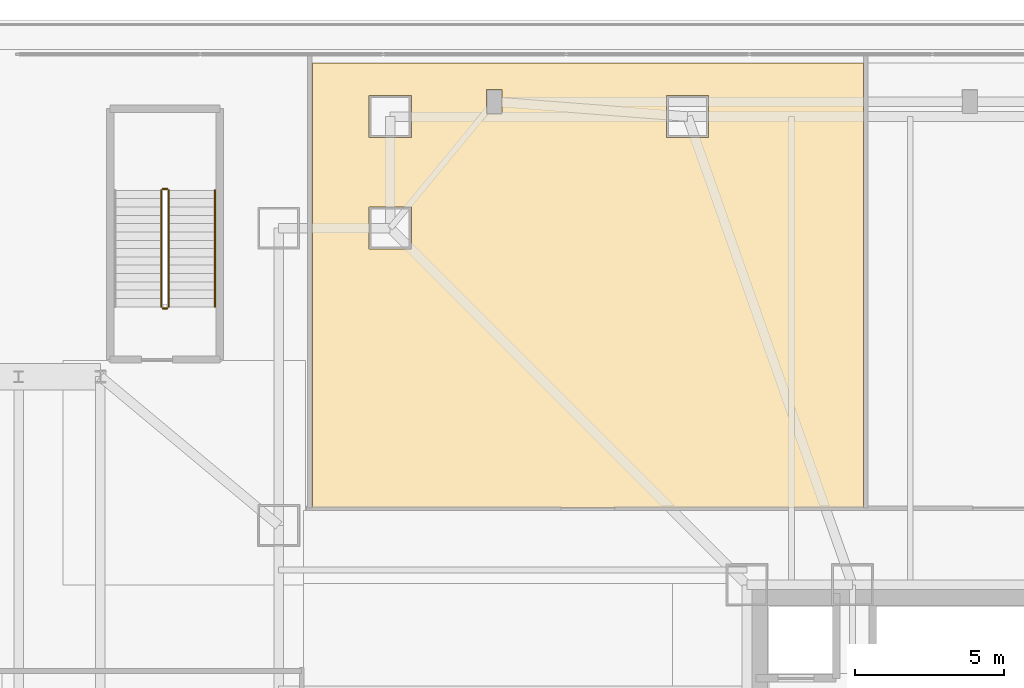
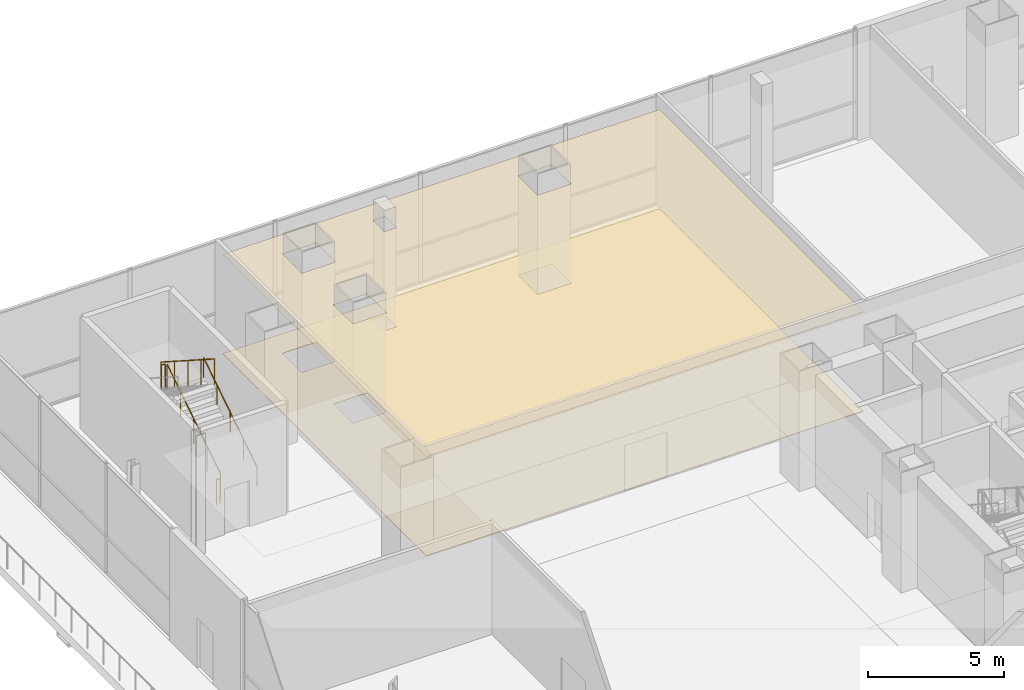
# One storey, part 33 of 36: 5 railings, 2 coverings.
"""IFC4 building model written with IfcOpenShell, lengths in metres."""

from ifc_helpers import new_model, si_unit, direction, frame, origin, origin_2d, place, context, subcontext, project, spatial, polyline, circle, outline, extrude, material, layer, layer_set, type_object, element, save


model = new_model("IFC4")

# Units and contexts
model_context = context("Model", 3, precision=1e-05, world=origin(), true_north=direction((0.0, 1.0)))
body_context = subcontext(model_context, "Body", "Model", "MODEL_VIEW")
ifc_project = project(units=[si_unit("LENGTHUNIT", "METRE"), si_unit("AREAUNIT", "SQUARE_METRE"), si_unit("VOLUMEUNIT", "CUBIC_METRE"), si_unit("PLANEANGLEUNIT", "RADIAN"), si_unit("MASSUNIT", "GRAM", prefix="KILO")], contexts=[model_context])

# Site, building, storey
site_placement = place(None, origin())
site = spatial("IfcSite", under=ifc_project, at=site_placement, CompositionType="ELEMENT")
building_placement = place(site_placement, origin())
building = spatial("IfcBuilding", under=site, at=building_placement, Name="Trevonay Congress Spire", CompositionType="ELEMENT")
storey_placement = place(building_placement, frame((0.0, 0.0, 16.199951171875)))
storey = spatial("IfcBuildingStorey", under=building, at=storey_placement, Name="L03", CompositionType="ELEMENT", Elevation=16.199951171875)

# Coverings
ifc_material_1 = material(Name="Acoustic Mineral Fibre Board", Category="gypsum")
ifc_layer_1 = layer(ifc_material_1, 0.02490234375, Name="Acoustic Mineral Fibre Board")
ifc_layer_set_1 = layer_set([ifc_layer_1], Name="Acoustic Mineral Fibre Board")
covering_type_1 = type_object("IfcCoveringType", Name="COV-CEIL-ACOUSTIC", PredefinedType="CEILING", material=ifc_layer_set_1)
covering_1_placement = place(storey_placement, frame((0.0, 0.0, 4.449951171875)))
element("IfcCovering", 1, at=covering_1_placement, inside=storey, type_object=covering_type_1, Name="L03 Junior Banquet Dining Hall acoustic suspended ceiling", PredefinedType="CEILING", context=body_context, shape_type="SweptSolid", body=[
    extrude(outline(polyline([(-22.1201171875, 25.050048828125), (-3.580078125, 25.050048828125), (-3.580078125, 10.080078125), (-22.1201171875, 10.080078125), (-22.1201171875, 25.050048828125)]), holes=[polyline([(-20.2099609375, 20.2099609375), (-20.2099609375, 18.7900390625), (-18.7900390625, 18.7900390625), (-18.7900390625, 20.2099609375), (-20.2099609375, 20.2099609375)]), polyline([(-20.2099609375, 23.9599609375), (-20.2099609375, 22.5400390625), (-18.7900390625, 22.5400390625), (-18.7900390625, 23.9599609375), (-20.2099609375, 23.9599609375)]), polyline([(-10.2099609375, 23.9599609375), (-10.2099609375, 22.5400390625), (-8.7900390625, 22.5400390625), (-8.7900390625, 23.9599609375), (-10.2099609375, 23.9599609375)]), polyline([(-16.260009765625, 24.159912109375), (-16.260009765625, 23.340087890625), (-15.739990234375, 23.340087890625), (-15.739990234375, 24.159912109375), (-16.260009765625, 24.159912109375)])]), origin(), (0.0, 0.0, 1.0), 0.025146484375),
])
ifc_material_2 = material(Name="Polished Granite Floor Tile", Category="masonry")
ifc_layer_2 = layer(ifc_material_2, 0.02001953125, Name="Polished Granite Floor Tile")
ifc_layer_set_2 = layer_set([ifc_layer_2], Name="Polished Granite Floor Tile")
covering_type_2 = type_object("IfcCoveringType", Name="COV-FLOOR-STONE", PredefinedType="FLOORING", material=ifc_layer_set_2)
covering_2_placement = place(storey_placement, origin())
element("IfcCovering", 2, at=covering_2_placement, inside=storey, type_object=covering_type_2, Name="L03 Junior Banquet Dining Hall floor finish", PredefinedType="FLOORING", context=body_context, shape_type="SweptSolid", body=[
    extrude(outline(polyline([(-22.1201171875, 25.050048828125), (-3.580078125, 25.050048828125), (-3.580078125, 10.080078125), (-22.1201171875, 10.080078125), (-22.1201171875, 25.050048828125)]), holes=[polyline([(-20.2099609375, 20.2099609375), (-20.2099609375, 18.7900390625), (-18.7900390625, 18.7900390625), (-18.7900390625, 20.2099609375), (-20.2099609375, 20.2099609375)]), polyline([(-20.2099609375, 23.9599609375), (-20.2099609375, 22.5400390625), (-18.7900390625, 22.5400390625), (-18.7900390625, 23.9599609375), (-20.2099609375, 23.9599609375)]), polyline([(-10.2099609375, 23.9599609375), (-10.2099609375, 22.5400390625), (-8.7900390625, 22.5400390625), (-8.7900390625, 23.9599609375), (-10.2099609375, 23.9599609375)]), polyline([(-16.260009765625, 24.159912109375), (-16.260009765625, 23.340087890625), (-15.739990234375, 23.340087890625), (-15.739990234375, 24.159912109375), (-16.260009765625, 24.159912109375)])]), origin(), (0.0, 0.0, 1.0), 0.02001953125),
])

# Railings
ifc_material_3 = material(Name="Pale Anodised Aluminium EN AW-6063-T6", Category="aluminium")
railing_type_1 = type_object("IfcRailingType", Name="RAL-STAIR-GUARD-110", PredefinedType="GUARDRAIL", material=ifc_material_3)
railing_1_placement = place(storey_placement, frame((-26.949951171875, 16.85009765625, 0.179931640625)))
element("IfcRailing", 3, at=railing_1_placement, inside=storey, type_object=railing_type_1, Name="L03 ST-5 stair guard 1", PredefinedType="GUARDRAIL", context=body_context, shape_type="SweptSolid", body=[
    extrude(circle(Radius=0.02392578125, at=origin_2d()), frame((0.0, 0.0, 1.1259765625), z_axis=(0.0, 0.841171666519, 0.540768182723), x_axis=(-1.0, 0.0, 0.0)), (0.0, 0.0, 1.0), 4.66015625),
    extrude(circle(Radius=0.02099609375, at=origin_2d()), origin(), (0.0, 0.0, 1.0), 1.101806640625),
    extrude(circle(Radius=0.02099609375, at=origin_2d()), frame((0.0, 0.97998046875, 0.6298828125)), (0.0, 0.0, 1.0), 1.101806640625),
    extrude(circle(Radius=0.02099609375, at=origin_2d()), frame((0.0, 1.9599609375, 1.260009765625)), (0.0, 0.0, 1.0), 1.101806640625),
    extrude(circle(Radius=0.02099609375, at=origin_2d()), frame((0.0, 2.93994140625, 1.89013671875)), (0.0, 0.0, 1.0), 1.101806640625),
    extrude(circle(Radius=0.02099609375, at=origin_2d()), frame((0.0, 3.919921875, 2.52001953125)), (0.0, 0.0, 1.0), 1.101806640625),
])
railing_2_placement = place(storey_placement, frame((-27.0, 20.820068359375, 2.699951171875)))
element("IfcRailing", 4, at=railing_2_placement, inside=storey, type_object=railing_type_1, Name="L03 ST-5 stair guard 2", PredefinedType="GUARDRAIL", context=body_context, shape_type="SweptSolid", body=[
    extrude(circle(Radius=0.02392578125, at=origin_2d()), frame((0.0, 0.0, 1.1259765625), z_axis=(-1.0, 0.0, 0.0), x_axis=(0.0, -1.0, 0.0)), (0.0, 0.0, 1.0), 0.14990234375),
    extrude(circle(Radius=0.02099609375, at=origin_2d()), origin(), (0.0, 0.0, 1.0), 1.101806640625),
    extrude(circle(Radius=0.02099609375, at=origin_2d()), frame((-0.14990234375, 0.0, 0.0)), (0.0, 0.0, 1.0), 1.101806640625),
])
railing_3_placement = place(storey_placement, frame((-27.199951171875, 20.77001953125, 2.880126953125)))
element("IfcRailing", 5, at=railing_3_placement, inside=storey, type_object=railing_type_1, Name="L03 ST-5 stair guard 3", PredefinedType="GUARDRAIL", context=body_context, shape_type="SweptSolid", body=[
    extrude(circle(Radius=0.02392578125, at=origin_2d()), frame((0.0, 0.0, 1.1259765625), z_axis=(0.0, -0.841171666519, 0.540768182723), x_axis=(1.0, 0.0, 0.0)), (0.0, 0.0, 1.0), 4.66015625),
    extrude(circle(Radius=0.02099609375, at=origin_2d()), origin(), (0.0, 0.0, 1.0), 1.101806640625),
    extrude(circle(Radius=0.02099609375, at=origin_2d()), frame((0.0, -0.97998046875, 0.6298828125)), (0.0, 0.0, 1.0), 1.101806640625),
    extrude(circle(Radius=0.02099609375, at=origin_2d()), frame((0.0, -1.9599609375, 1.260009765625)), (0.0, 0.0, 1.0), 1.101806640625),
    extrude(circle(Radius=0.02099609375, at=origin_2d()), frame((0.0, -2.93994140625, 1.89013671875)), (0.0, 0.0, 1.0), 1.101806640625),
    extrude(circle(Radius=0.02099609375, at=origin_2d()), frame((0.0, -3.919921875, 2.52001953125)), (0.0, 0.0, 1.0), 1.101806640625),
])
railing_4_placement = place(storey_placement, frame((-27.0, 16.800048828125, 0.0)))
element("IfcRailing", 6, at=railing_4_placement, inside=storey, type_object=railing_type_1, Name="L03 ST-5 stair guard 4", PredefinedType="GUARDRAIL", context=body_context, shape_type="SweptSolid", body=[
    extrude(circle(Radius=0.02392578125, at=origin_2d()), frame((0.0, 0.0, 1.1259765625), z_axis=(-1.0, 0.0, 0.0), x_axis=(0.0, -1.0, 0.0)), (0.0, 0.0, 1.0), 0.14990234375),
    extrude(circle(Radius=0.02099609375, at=origin_2d()), origin(), (0.0, 0.0, 1.0), 1.101806640625),
    extrude(circle(Radius=0.02099609375, at=origin_2d()), frame((-0.14990234375, 0.0, 0.0)), (0.0, 0.0, 1.0), 1.101806640625),
])
railing_type_2 = type_object("IfcRailingType", Name="RAL-STAIR-HANDRAIL", PredefinedType="HANDRAIL", material=ifc_material_3)
railing_5_placement = place(storey_placement, frame((-25.39990234375, 16.85009765625, 0.179931640625)))
element("IfcRailing", 7, at=railing_5_placement, inside=storey, type_object=railing_type_2, Name="L03 ST-5 stair handrail 1", PredefinedType="HANDRAIL", context=body_context, shape_type="SweptSolid", body=[
    extrude(circle(Radius=0.02392578125, at=origin_2d()), frame((0.0, 0.0, 0.8759765625), z_axis=(0.0, 0.841171666519, 0.540768182723), x_axis=(-1.0, 0.0, 0.0)), (0.0, 0.0, 1.0), 4.66015625),
    extrude(circle(Radius=0.02099609375, at=origin_2d()), origin(), (0.0, 0.0, 1.0), 0.851806640625),
    extrude(circle(Radius=0.02099609375, at=origin_2d()), frame((0.0, 0.97998046875, 0.6298828125)), (0.0, 0.0, 1.0), 0.851806640625),
    extrude(circle(Radius=0.02099609375, at=origin_2d()), frame((0.0, 1.9599609375, 1.260009765625)), (0.0, 0.0, 1.0), 0.851806640625),
    extrude(circle(Radius=0.02099609375, at=origin_2d()), frame((0.0, 2.93994140625, 1.89013671875)), (0.0, 0.0, 1.0), 0.851806640625),
    extrude(circle(Radius=0.02099609375, at=origin_2d()), frame((0.0, 3.919921875, 2.52001953125)), (0.0, 0.0, 1.0), 0.851806640625),
])

save(model, "model.ifc")
